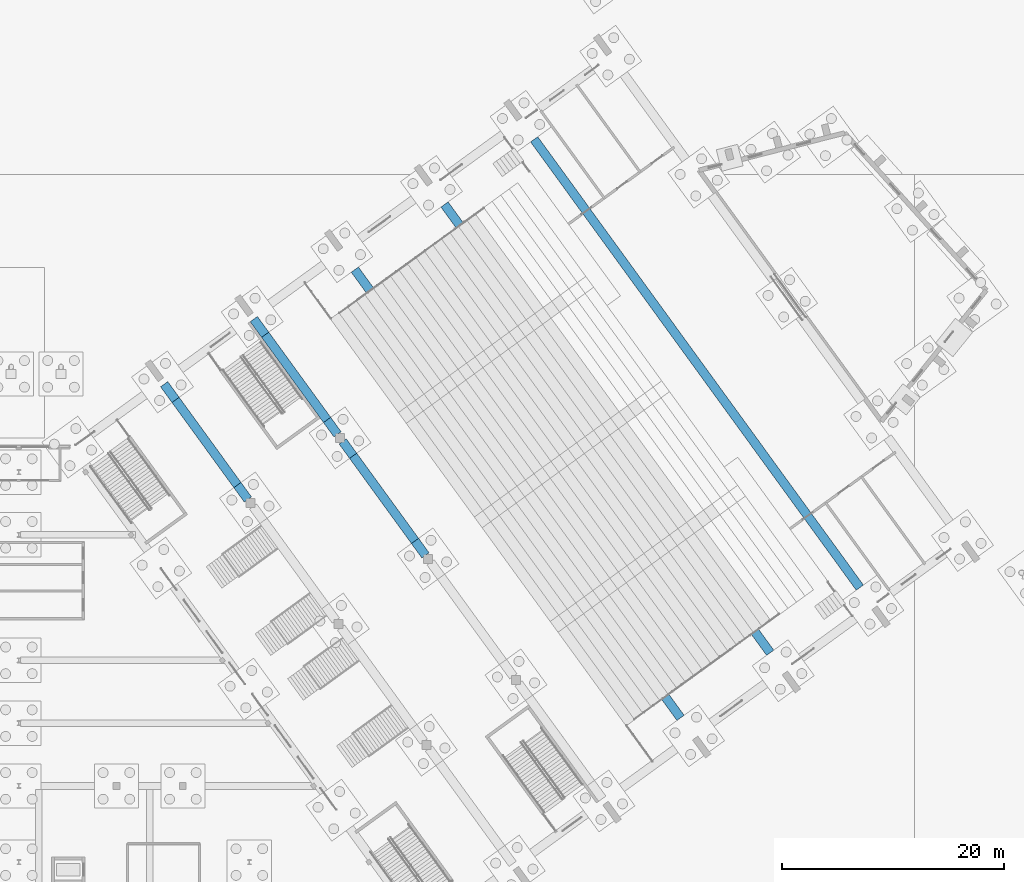
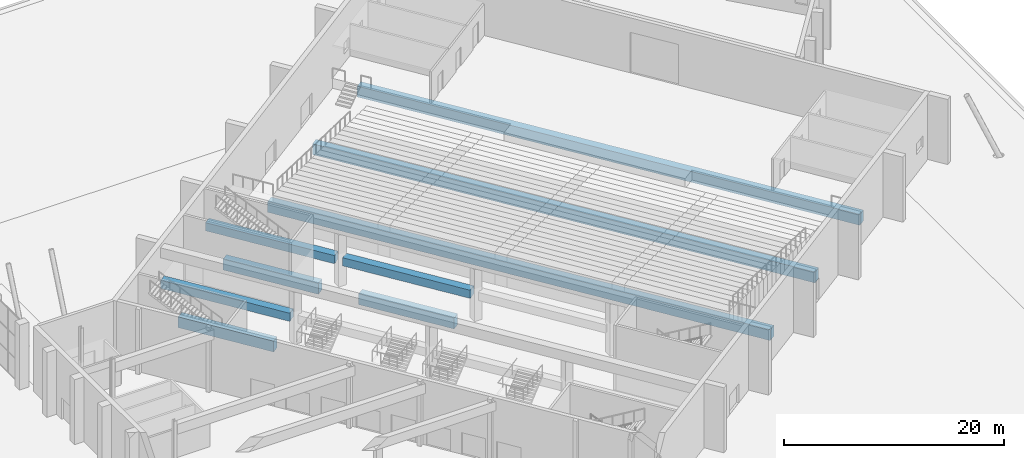
# One storey, part 136 of 239: 9 beams.
"""IFC4 building model written with IfcOpenShell, lengths in metres."""

from ifc_helpers import new_model, si_unit, direction, frame, origin, origin_2d, place, context, subcontext, project, spatial, rectangle, extrude, material, material_profile, profile_set, type_object, element, save


model = new_model("IFC4")

# Units and contexts
model_context = context("Model", 3, precision=1e-05, world=origin(), true_north=direction((0.0, 1.0)))
body_context = subcontext(model_context, "Body", "Model", "MODEL_VIEW")
ifc_project = project(units=[si_unit("LENGTHUNIT", "METRE"), si_unit("AREAUNIT", "SQUARE_METRE"), si_unit("VOLUMEUNIT", "CUBIC_METRE"), si_unit("PLANEANGLEUNIT", "RADIAN"), si_unit("MASSUNIT", "GRAM", prefix="KILO")], contexts=[model_context])

# Site, building, storey
site_placement = place(None, origin())
site = spatial("IfcSite", under=ifc_project, at=site_placement, CompositionType="ELEMENT")
building_placement = place(site_placement, origin())
building = spatial("IfcBuilding", under=site, at=building_placement, Name="Okhra Congress Centre", CompositionType="ELEMENT")
storey_placement = place(building_placement, origin())
storey = spatial("IfcBuildingStorey", under=building, at=storey_placement, Name="L00", CompositionType="ELEMENT", Elevation=0.0)

# Beams
ifc_material = material(Name="Concrete C35/45", Category="concrete")
ifc_material_profile_1 = material_profile(ifc_material, rectangle(XDim=0.800048828125, YDim=1.199951171875, at=origin_2d()), Name="RC ground beam 800x1200")
ifc_profile_set_1 = profile_set([ifc_material_profile_1], Name="Concrete C35/45")
beam_type_1 = type_object("IfcBeamType", Name="RC ground beam 800x1200", PredefinedType="BEAM", material=ifc_profile_set_1)
for number, where, z_axis, x_axis, name in (
    (1, (212.919677734375, 196.369873046875, -0.89990234375), (-0.587763632589, 0.809032701567, 0.0), (-0.809032701567, -0.587763632589, 0.0), "Ground beam 4"),
    (2, (228.945068359375, 191.326171875, -0.89990234375), (-0.58779267372, 0.80901160234, 0.0), (-0.80901160234, -0.58779267372, 0.0), "Ground beam 7"),
    (3, (221.010009765625, 202.247802734375, -0.89990234375), (-0.587780453127, 0.809020481151, 0.0), (-0.809020481151, -0.587780453127, 0.0), "Ground beam 8"),
):
    element("IfcBeam", number, at=place(storey_placement, frame(where, z_axis=z_axis, x_axis=x_axis)), inside=storey, type_object=beam_type_1, Name=name, PredefinedType="BEAM", context=body_context, shape_type="SweptSolid", body=[
        extrude(rectangle(XDim=0.800048828125, YDim=1.199951171875, at=origin_2d()), origin(), (0.0, 0.0, 1.0), 9.5),
    ])
for number, where, z_axis, x_axis, name in (
    (4, (252.905517578125, 175.360595703125, -0.89990234375), (-0.587788686878, 0.809014498991, 0.0), (-0.809014498991, -0.587788686878, 0.0), "Ground beam 9"),
    (5, (260.99560546875, 181.23828125, -0.89990234375), (-0.58778316912, 0.809018507884, 0.0), (-0.809018507884, -0.58778316912, 0.0), "Ground beam 10"),
    (6, (269.085693359375, 187.1162109375, -0.89990234375), (-0.58778316912, 0.809018507884, 0.0), (-0.809018507884, -0.58778316912, 0.0), "Ground beam 11"),
):
    element("IfcBeam", number, at=place(storey_placement, frame(where, z_axis=z_axis, x_axis=x_axis)), inside=storey, type_object=beam_type_1, Name=name, PredefinedType="BEAM", context=body_context, shape_type="SweptSolid", body=[
        extrude(rectangle(XDim=0.800048828125, YDim=1.199951171875, at=origin_2d()), origin(), (0.0, 0.0, 1.0), 50.0),
    ])
ifc_material_profile_2 = material_profile(ifc_material, rectangle(XDim=0.800048828125, YDim=0.89990234375, at=origin_2d()), Name="RC platform girder 800x900")
ifc_profile_set_2 = profile_set([ifc_material_profile_2], Name="Concrete C35/45")
beam_type_2 = type_object("IfcBeamType", Name="RC platform girder 800x900", PredefinedType="BEAM", material=ifc_profile_set_2)
beam_1_placement = place(storey_placement, frame((213.8603515625, 195.075439453125, 2.800048828125), z_axis=(-0.587789804387, 0.809013687065, 0.0), x_axis=(-0.809013687065, -0.587789804387, 0.0)))
element("IfcBeam", 7, at=beam_1_placement, inside=storey, type_object=beam_type_2, Name="Platform girder 20.4", PredefinedType="BEAM", context=body_context, shape_type="SweptSolid", body=[
    extrude(rectangle(XDim=0.800048828125, YDim=0.89990234375, at=origin_2d()), origin(), (0.0, 0.0, 1.0), 12.85009765625),
])
beam_2_placement = place(storey_placement, frame((229.885498046875, 190.03173828125, 2.800048828125), z_axis=(-0.58778757057, 0.809015310043, 0.0), x_axis=(-0.809015310043, -0.58778757057, 0.0)))
element("IfcBeam", 8, at=beam_2_placement, inside=storey, type_object=beam_type_2, Name="Platform girder 10.3", PredefinedType="BEAM", context=body_context, shape_type="SweptSolid", body=[
    extrude(rectangle(XDim=0.800048828125, YDim=0.89990234375, at=origin_2d()), origin(), (0.0, 0.0, 1.0), 12.699951171875),
])
beam_3_placement = place(storey_placement, frame((221.950439453125, 200.953369140625, 2.800048828125), z_axis=(-0.5877773693, 0.809022721645, 0.0), x_axis=(-0.809022721645, -0.5877773693, 0.0)))
element("IfcBeam", 9, at=beam_3_placement, inside=storey, type_object=beam_type_2, Name="Platform girder 10.4", PredefinedType="BEAM", context=body_context, shape_type="SweptSolid", body=[
    extrude(rectangle(XDim=0.800048828125, YDim=0.89990234375, at=origin_2d()), origin(), (0.0, 0.0, 1.0), 12.85009765625),
])

save(model, "model.ifc")
